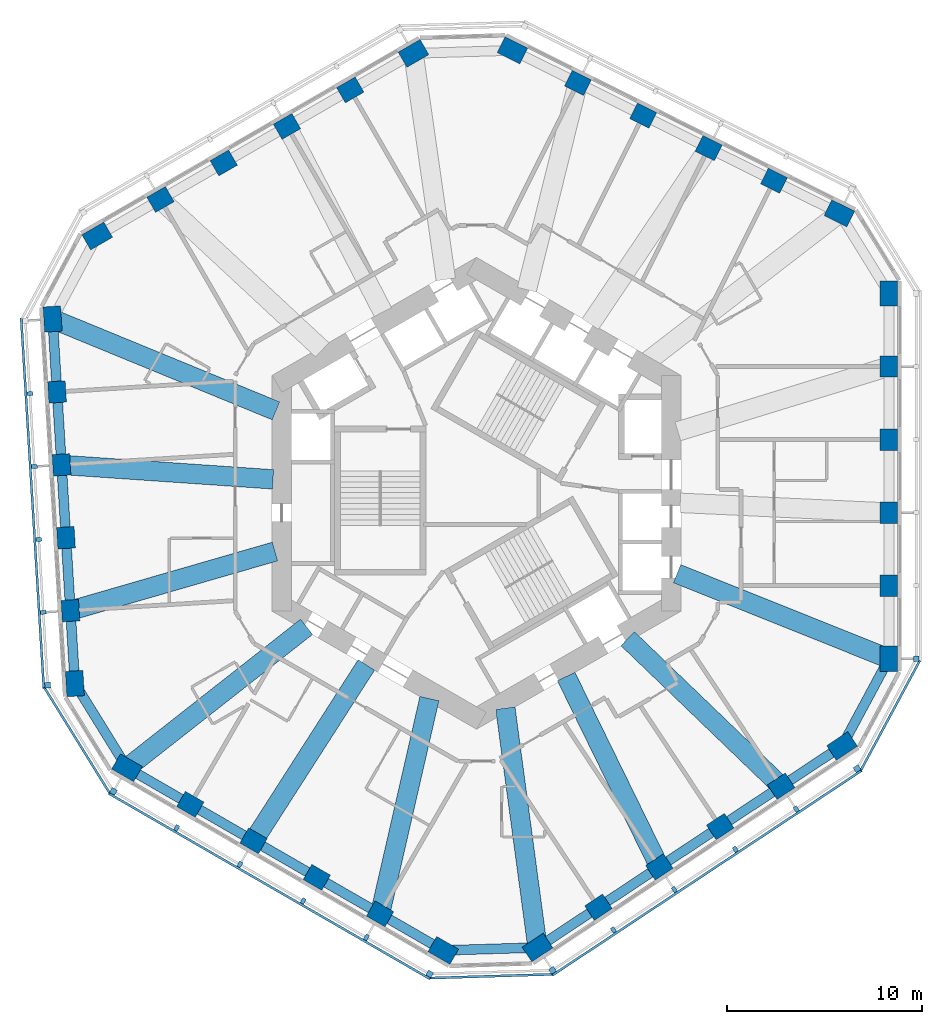
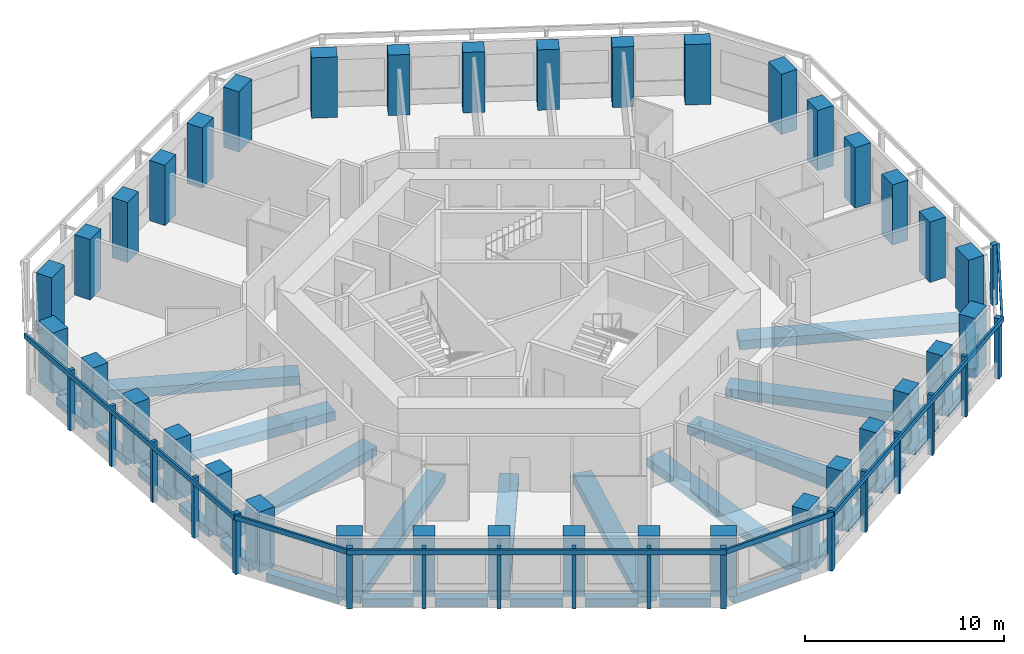
# One storey, part 1 of 11: 36 columns, 28 beams, 24 members, 7 elements without a shape of their own.
"""IFC4 building model written with IfcOpenShell, lengths in metres."""

from ifc_helpers import new_model, si_unit, direction, frame, origin, origin_2d, place, context, subcontext, project, spatial, rectangle, extrude, material, material_profile, profile_set, type_object, element, aggregate, save


model = new_model("IFC4")

# Units and contexts
model_context = context("Model", 3, precision=1e-05, world=origin(), true_north=direction((0.0, 1.0)))
body_context = subcontext(model_context, "Body", "Model", "MODEL_VIEW")
ifc_project = project(units=[si_unit("LENGTHUNIT", "METRE"), si_unit("AREAUNIT", "SQUARE_METRE"), si_unit("VOLUMEUNIT", "CUBIC_METRE"), si_unit("PLANEANGLEUNIT", "RADIAN"), si_unit("MASSUNIT", "GRAM", prefix="KILO")], contexts=[model_context])

# Site, building, storey
site_placement = place(None, origin())
site = spatial("IfcSite", under=ifc_project, at=site_placement, CompositionType="ELEMENT")
building_placement = place(site_placement, origin())
building = spatial("IfcBuilding", under=site, at=building_placement, Name="Vanh Sen Convention Tower", CompositionType="ELEMENT")
storey_placement = place(building_placement, frame((0.0, 0.0, 131.800048828125)))
storey = spatial("IfcBuildingStorey", under=building, at=storey_placement, Name="L32", CompositionType="ELEMENT", Elevation=131.800048828125)

# Columns
ifc_material_1 = material(Name="Concrete C80/95", Category="concrete")
ifc_material_profile_1 = material_profile(ifc_material_1, rectangle(XDim=1.10009765625, YDim=0.89990234375, at=origin_2d()), Name="RC 1100X900")
ifc_profile_set_1 = profile_set([ifc_material_profile_1], Name="Concrete C80/95")
column_type_1 = type_object("IfcColumnType", Name="Facade column 1100 x 900 C80/95", PredefinedType="COLUMN", material=ifc_profile_set_1)
for number, where, z_axis, x_axis, name in (
    (1, (21.199951171875, -4.746826171875, 0.0), (0.0, 0.0, 1.0), (0.0, 1.0, 0.0), "Facade column 02 L32"),
    (2, (21.199951171875, -0.992919921875, 0.0), (0.0, 0.0, 1.0), (0.0, 1.0, 0.0), "Facade column 03 L32"),
    (3, (21.199951171875, 2.76123046875, 0.0), (0.0, 0.0, 1.0), (0.0, 1.0, 0.0), "Facade column 04 L32"),
    (4, (21.199951171875, 6.515380859375, 0.0), (0.0, 0.0, 1.0), (0.0, 1.0, 0.0), "Facade column 05 L32"),
    (5, (15.290283203125, 16.0654296875, 0.0), (0.0, 0.0, 1.0), (-0.894934361602, 0.44619781311, 0.0), "Facade column 08 L32"),
    (6, (11.9306640625, 17.740478515625, 0.0), (0.0, 0.0, 1.0), (-0.894934361602, 0.44619781311, 0.0), "Facade column 09 L32"),
    (7, (8.57080078125, 19.41552734375, 0.0), (0.0, 0.0, 1.0), (-0.894934361602, 0.44619781311, 0.0), "Facade column 10 L32"),
    (8, (5.211181640625, 21.0908203125, 0.0), (0.0, 0.0, 1.0), (-0.894934361602, 0.44619781311, 0.0), "Facade column 11 L32"),
    (9, (-6.489013671875, 20.733154296875, 0.0), (0.0, 0.0, 1.0), (-0.866025403784, -0.5, 0.0), "Facade column 14 L32"),
    (10, (-9.740234375, 18.856201171875, 0.0), (0.0, 0.0, 1.0), (-0.866025403784, -0.5, 0.0), "Facade column 15 L32"),
    (11, (-12.991455078125, 16.97900390625, 0.0), (0.0, 0.0, 1.0), (-0.866025403784, -0.5, 0.0), "Facade column 16 L32"),
    (12, (-16.242431640625, 15.10205078125, 0.0), (0.0, 0.0, 1.0), (-0.866025403784, -0.5, 0.0), "Facade column 17 L32"),
    (13, (-21.55810546875, 5.208984375, 0.0), (0.0, 0.0, 1.0), (0.061048539535, -0.998134798422, 0.0), "Facade column 20 L32"),
    (14, (-21.3291015625, 1.4619140625, 0.0), (0.0, 0.0, 1.0), (0.061048539535, -0.998134798422, 0.0), "Facade column 21 L32"),
    (15, (-21.099853515625, -2.28515625, 0.0), (0.0, 0.0, 1.0), (0.061048539535, -0.998134798422, 0.0), "Facade column 22 L32"),
    (16, (-20.87060546875, -6.0322265625, 0.0), (0.0, 0.0, 1.0), (0.061048539535, -0.998134798422, 0.0), "Facade column 23 L32"),
    (17, (-14.7109375, -15.986328125, 0.0), (0.0, 0.0, 1.0), (0.866025403784, -0.5, 0.0), "Facade column 26 L32"),
    (18, (-11.459716796875, -17.86328125, 0.0), (0.0, 0.0, 1.0), (0.866025403784, -0.5, 0.0), "Facade column 27 L32"),
    (19, (-8.20849609375, -19.740478515625, 0.0), (0.0, 0.0, 1.0), (0.866025403784, -0.5, 0.0), "Facade column 28 L32"),
    (20, (-4.95751953125, -21.617431640625, 0.0), (0.0, 0.0, 1.0), (0.866025403784, -0.5, 0.0), "Facade column 29 L32"),
    (21, (6.267822265625, -21.2744140625, 0.0), (0.0, 0.0, 1.0), (0.833885822067, 0.551936985312, 0.0), "Facade column 32 L32"),
    (22, (9.3984375, -19.202392578125, 0.0), (0.0, 0.0, 1.0), (0.833885822067, 0.551936985312, 0.0), "Facade column 33 L32"),
    (23, (12.52880859375, -17.13037109375, 0.0), (0.0, 0.0, 1.0), (0.833885822067, 0.551936985312, 0.0), "Facade column 34 L32"),
    (24, (15.659423828125, -15.058349609375, 0.0), (0.0, 0.0, 1.0), (0.833885822067, 0.551936985312, 0.0), "Facade column 35 L32"),
):
    element("IfcColumn", number, at=place(storey_placement, frame(where, z_axis=z_axis, x_axis=x_axis)), inside=storey, type_object=column_type_1, Name=name, PredefinedType="COLUMN", context=body_context, shape_type="SweptSolid", body=[
        extrude(rectangle(XDim=1.10009765625, YDim=0.89990234375, at=origin_2d()), origin(), (0.0, 0.0, 1.0), 3.699951171875),
    ])
ifc_material_profile_2 = material_profile(ifc_material_1, rectangle(XDim=1.300048828125, YDim=0.89990234375, at=origin_2d()), Name="RC 1300X900")
ifc_profile_set_2 = profile_set([ifc_material_profile_2], Name="Concrete C80/95")
column_type_2 = type_object("IfcColumnType", Name="Facade corner column 1300 x 900 C80/95", PredefinedType="COLUMN", material=ifc_profile_set_2)
for number, where, z_axis, x_axis, name in (
    (25, (21.199951171875, -8.5009765625, 0.0), (0.0, 0.0, 1.0), (0.0, 1.0, 0.0), "Facade column 01 L32"),
    (26, (21.199951171875, 10.26953125, 0.0), (0.0, 0.0, 1.0), (0.0, 1.0, 0.0), "Facade column 06 L32"),
    (27, (18.64990234375, 14.390380859375, 0.0), (0.0, 0.0, 1.0), (-0.894934361602, 0.44619781311, 0.0), "Facade column 07 L32"),
    (28, (1.8515625, 22.765625, 0.0), (0.0, 0.0, 1.0), (-0.894934361602, 0.44619781311, 0.0), "Facade column 12 L32"),
    (29, (-3.23779296875, 22.610107421875, 0.0), (0.0, 0.0, 1.0), (-0.866025403784, -0.5, 0.0), "Facade column 13 L32"),
    (30, (-19.49365234375, 13.22509765625, 0.0), (0.0, 0.0, 1.0), (-0.866025403784, -0.5, 0.0), "Facade column 18 L32"),
    (31, (-21.787353515625, 8.956298828125, 0.0), (0.0, 0.0, 1.0), (0.061048539535, -0.998134798422, 0.0), "Facade column 19 L32"),
    (32, (-20.6416015625, -9.779296875, 0.0), (0.0, 0.0, 1.0), (0.061048539535, -0.998134798422, 0.0), "Facade column 24 L32"),
    (33, (-17.962158203125, -14.109130859375, 0.0), (0.0, 0.0, 1.0), (0.866025403784, -0.5, 0.0), "Facade column 25 L32"),
    (34, (-1.706298828125, -23.494384765625, 0.0), (0.0, 0.0, 1.0), (0.866025403784, -0.5, 0.0), "Facade column 30 L32"),
    (35, (3.137451171875, -23.346435546875, 0.0), (0.0, 0.0, 1.0), (0.833885822067, 0.551936985312, 0.0), "Facade column 31 L32"),
    (36, (18.789794921875, -12.986328125, 0.0), (0.0, 0.0, 1.0), (0.833885822067, 0.551936985312, 0.0), "Facade column 36 L32"),
):
    element("IfcColumn", number, at=place(storey_placement, frame(where, z_axis=z_axis, x_axis=x_axis)), inside=storey, type_object=column_type_2, Name=name, PredefinedType="COLUMN", context=body_context, shape_type="SweptSolid", body=[
        extrude(rectangle(XDim=1.300048828125, YDim=0.89990234375, at=origin_2d()), origin(), (0.0, 0.0, 1.0), 3.699951171875),
    ])

# Curtain wall, member
ifc_material_2 = material(Name="Concrete C50/60", Category="concrete")
curtain_wall_type = type_object("IfcCurtainWallType", Name="Outer skin office zone", PredefinedType="NOTDEFINED", material=ifc_material_2)
curtain_wall_1_placement = place(storey_placement, origin())
curtain_wall_1 = element("IfcCurtainWall", 37, at=curtain_wall_1_placement, inside=storey, type_object=curtain_wall_type, Name="OUTER SKIN E L32", PredefinedType="NOTDEFINED")
ifc_material_profile_3 = material_profile(ifc_material_2, rectangle(XDim=0.300048828125, YDim=0.300048828125, at=origin_2d()), Name="Outer skin precast corner fin 300 x 300")
ifc_profile_set_3 = profile_set([ifc_material_profile_3], Name="Concrete C50/60")
member_type_1 = type_object("IfcMemberType", Name="Outer skin precast corner fin 300 x 300", PredefinedType="MULLION", material=ifc_profile_set_3)
member_1_placement = place(storey_placement, frame((22.60009765625, -8.5009765625, 0.0), z_axis=(0.0, 0.0, 1.0), x_axis=(0.0, 1.0, 0.0)))
member_1 = element("IfcMember", 38, at=member_1_placement, type_object=member_type_1, Name="OUTER SKIN CORNER FIN 1 E L32", PredefinedType="MULLION", context=body_context, shape_type="SweptSolid", body=[
    extrude(rectangle(XDim=0.300048828125, YDim=0.300048828125, at=origin_2d()), origin(), (0.0, 0.0, 1.0), 3.699951171875),
])
aggregate(curtain_wall_1, [member_1])

curtain_wall_2_placement = place(storey_placement, origin())
curtain_wall_2 = element("IfcCurtainWall", 39, at=curtain_wall_2_placement, inside=storey, type_object=curtain_wall_type, Name="OUTER SKIN W L32", PredefinedType="NOTDEFINED")
member_2_placement = place(storey_placement, frame((-22.038818359375, -9.864990234375, 0.0), z_axis=(0.0, 0.0, 1.0), x_axis=(0.061048539535, -0.998134798422, 0.0)))
member_2 = element("IfcMember", 40, at=member_2_placement, type_object=member_type_1, Name="OUTER SKIN CORNER FIN 6 W L32", PredefinedType="MULLION", context=body_context, shape_type="SweptSolid", body=[
    extrude(rectangle(XDim=0.300048828125, YDim=0.300048828125, at=origin_2d()), origin(), (0.0, 0.0, 1.0), 3.699951171875),
])

# Curtain wall, members
curtain_wall_3_placement = place(storey_placement, origin())
curtain_wall_3 = element("IfcCurtainWall", 41, at=curtain_wall_3_placement, inside=storey, type_object=curtain_wall_type, Name="OUTER SKIN SW L32", PredefinedType="NOTDEFINED")
member_3_placement = place(storey_placement, frame((-18.662109375, -15.321533203125, 0.0), z_axis=(0.0, 0.0, 1.0), x_axis=(0.866025403784, -0.5, 0.0)))
member_3 = element("IfcMember", 42, at=member_3_placement, type_object=member_type_1, Name="OUTER SKIN CORNER FIN 1 SW L32", PredefinedType="MULLION", context=body_context, shape_type="SweptSolid", body=[
    extrude(rectangle(XDim=0.300048828125, YDim=0.300048828125, at=origin_2d()), origin(), (0.0, 0.0, 1.0), 3.699951171875),
])
member_4_placement = place(storey_placement, frame((-2.40625, -24.706787109375, 0.0), z_axis=(0.0, 0.0, 1.0), x_axis=(0.866025403784, -0.5, 0.0)))
member_4 = element("IfcMember", 43, at=member_4_placement, type_object=member_type_1, Name="OUTER SKIN CORNER FIN 6 SW L32", PredefinedType="MULLION", context=body_context, shape_type="SweptSolid", body=[
    extrude(rectangle(XDim=0.300048828125, YDim=0.300048828125, at=origin_2d()), origin(), (0.0, 0.0, 1.0), 3.699951171875),
])

curtain_wall_4_placement = place(storey_placement, origin())
curtain_wall_4 = element("IfcCurtainWall", 44, at=curtain_wall_4_placement, inside=storey, type_object=curtain_wall_type, Name="OUTER SKIN SE L32", PredefinedType="NOTDEFINED")
member_5_placement = place(storey_placement, frame((3.91015625, -24.513916015625, 0.0), z_axis=(0.0, 0.0, 1.0), x_axis=(0.833885822067, 0.551936985312, 0.0)))
member_5 = element("IfcMember", 45, at=member_5_placement, type_object=member_type_1, Name="OUTER SKIN CORNER FIN 1 SE L32", PredefinedType="MULLION", context=body_context, shape_type="SweptSolid", body=[
    extrude(rectangle(XDim=0.300048828125, YDim=0.300048828125, at=origin_2d()), origin(), (0.0, 0.0, 1.0), 3.699951171875),
])
member_6_placement = place(storey_placement, frame((19.5625, -14.15380859375, 0.0), z_axis=(0.0, 0.0, 1.0), x_axis=(0.833885822067, 0.551936985312, 0.0)))
member_6 = element("IfcMember", 46, at=member_6_placement, type_object=member_type_1, Name="OUTER SKIN CORNER FIN 6 SE L32", PredefinedType="MULLION", context=body_context, shape_type="SweptSolid", body=[
    extrude(rectangle(XDim=0.300048828125, YDim=0.300048828125, at=origin_2d()), origin(), (0.0, 0.0, 1.0), 3.699951171875),
])

# Member
ifc_material_profile_4 = material_profile(ifc_material_2, rectangle(XDim=0.199951171875, YDim=0.300048828125, at=origin_2d()), Name="Outer skin precast fin 200 x 300")
ifc_profile_set_4 = profile_set([ifc_material_profile_4], Name="Concrete C50/60")
member_type_2 = type_object("IfcMemberType", Name="Outer skin precast fin 200 x 300", PredefinedType="MULLION", material=ifc_profile_set_4)
member_7_placement = place(storey_placement, frame((-22.95556640625, 5.12353515625, 0.0), z_axis=(0.0, 0.0, 1.0), x_axis=(0.061048539535, -0.998134798422, 0.0)))
member_7 = element("IfcMember", 47, at=member_7_placement, type_object=member_type_2, Name="OUTER SKIN fin 2 W L32", PredefinedType="MULLION", context=body_context, shape_type="SweptSolid", body=[
    extrude(rectangle(XDim=0.199951171875, YDim=0.300048828125, at=origin_2d()), origin(), (0.0, 0.0, 1.0), 3.699951171875),
])

member_8_placement = place(storey_placement, frame((-22.726318359375, 1.37646484375, 0.0), z_axis=(0.0, 0.0, 1.0), x_axis=(0.061048539535, -0.998134798422, 0.0)))
member_8 = element("IfcMember", 48, at=member_8_placement, type_object=member_type_2, Name="OUTER SKIN fin 3 W L32", PredefinedType="MULLION", context=body_context, shape_type="SweptSolid", body=[
    extrude(rectangle(XDim=0.199951171875, YDim=0.300048828125, at=origin_2d()), origin(), (0.0, 0.0, 1.0), 3.699951171875),
])

member_9_placement = place(storey_placement, frame((-22.497314453125, -2.37060546875, 0.0), z_axis=(0.0, 0.0, 1.0), x_axis=(0.061048539535, -0.998134798422, 0.0)))
member_9 = element("IfcMember", 49, at=member_9_placement, type_object=member_type_2, Name="OUTER SKIN fin 4 W L32", PredefinedType="MULLION", context=body_context, shape_type="SweptSolid", body=[
    extrude(rectangle(XDim=0.199951171875, YDim=0.300048828125, at=origin_2d()), origin(), (0.0, 0.0, 1.0), 3.699951171875),
])

member_10_placement = place(storey_placement, frame((-22.26806640625, -6.117919921875, 0.0), z_axis=(0.0, 0.0, 1.0), x_axis=(0.061048539535, -0.998134798422, 0.0)))
member_10 = element("IfcMember", 50, at=member_10_placement, type_object=member_type_2, Name="OUTER SKIN fin 5 W L32", PredefinedType="MULLION", context=body_context, shape_type="SweptSolid", body=[
    extrude(rectangle(XDim=0.199951171875, YDim=0.300048828125, at=origin_2d()), origin(), (0.0, 0.0, 1.0), 3.699951171875),
])

member_11_placement = place(storey_placement, frame((-15.410888671875, -17.19873046875, 0.0), z_axis=(0.0, 0.0, 1.0), x_axis=(0.866025403784, -0.5, 0.0)))
member_11 = element("IfcMember", 51, at=member_11_placement, type_object=member_type_2, Name="OUTER SKIN fin 2 SW L32", PredefinedType="MULLION", context=body_context, shape_type="SweptSolid", body=[
    extrude(rectangle(XDim=0.199951171875, YDim=0.300048828125, at=origin_2d()), origin(), (0.0, 0.0, 1.0), 3.699951171875),
])

member_12_placement = place(storey_placement, frame((-12.159912109375, -19.07568359375, 0.0), z_axis=(0.0, 0.0, 1.0), x_axis=(0.866025403784, -0.5, 0.0)))
member_12 = element("IfcMember", 52, at=member_12_placement, type_object=member_type_2, Name="OUTER SKIN fin 3 SW L32", PredefinedType="MULLION", context=body_context, shape_type="SweptSolid", body=[
    extrude(rectangle(XDim=0.199951171875, YDim=0.300048828125, at=origin_2d()), origin(), (0.0, 0.0, 1.0), 3.699951171875),
])

member_13_placement = place(storey_placement, frame((-8.90869140625, -20.952880859375, 0.0), z_axis=(0.0, 0.0, 1.0), x_axis=(0.866025403784, -0.5, 0.0)))
member_13 = element("IfcMember", 53, at=member_13_placement, type_object=member_type_2, Name="OUTER SKIN fin 4 SW L32", PredefinedType="MULLION", context=body_context, shape_type="SweptSolid", body=[
    extrude(rectangle(XDim=0.199951171875, YDim=0.300048828125, at=origin_2d()), origin(), (0.0, 0.0, 1.0), 3.699951171875),
])

member_14_placement = place(storey_placement, frame((-5.657470703125, -22.829833984375, 0.0), z_axis=(0.0, 0.0, 1.0), x_axis=(0.866025403784, -0.5, 0.0)))
member_14 = element("IfcMember", 54, at=member_14_placement, type_object=member_type_2, Name="OUTER SKIN fin 5 SW L32", PredefinedType="MULLION", context=body_context, shape_type="SweptSolid", body=[
    extrude(rectangle(XDim=0.199951171875, YDim=0.300048828125, at=origin_2d()), origin(), (0.0, 0.0, 1.0), 3.699951171875),
])

member_15_placement = place(storey_placement, frame((7.04052734375, -22.44189453125, 0.0), z_axis=(0.0, 0.0, 1.0), x_axis=(0.833885822067, 0.551936985312, 0.0)))
member_15 = element("IfcMember", 55, at=member_15_placement, type_object=member_type_2, Name="OUTER SKIN fin 2 SE L32", PredefinedType="MULLION", context=body_context, shape_type="SweptSolid", body=[
    extrude(rectangle(XDim=0.199951171875, YDim=0.300048828125, at=origin_2d()), origin(), (0.0, 0.0, 1.0), 3.699951171875),
])

member_16_placement = place(storey_placement, frame((10.171142578125, -20.369873046875, 0.0), z_axis=(0.0, 0.0, 1.0), x_axis=(0.833885822067, 0.551936985312, 0.0)))
member_16 = element("IfcMember", 56, at=member_16_placement, type_object=member_type_2, Name="OUTER SKIN fin 3 SE L32", PredefinedType="MULLION", context=body_context, shape_type="SweptSolid", body=[
    extrude(rectangle(XDim=0.199951171875, YDim=0.300048828125, at=origin_2d()), origin(), (0.0, 0.0, 1.0), 3.699951171875),
])

member_17_placement = place(storey_placement, frame((13.301513671875, -18.2978515625, 0.0), z_axis=(0.0, 0.0, 1.0), x_axis=(0.833885822067, 0.551936985312, 0.0)))
member_17 = element("IfcMember", 57, at=member_17_placement, type_object=member_type_2, Name="OUTER SKIN fin 4 SE L32", PredefinedType="MULLION", context=body_context, shape_type="SweptSolid", body=[
    extrude(rectangle(XDim=0.199951171875, YDim=0.300048828125, at=origin_2d()), origin(), (0.0, 0.0, 1.0), 3.699951171875),
])

member_18_placement = place(storey_placement, frame((16.43212890625, -16.225830078125, 0.0), z_axis=(0.0, 0.0, 1.0), x_axis=(0.833885822067, 0.551936985312, 0.0)))
member_18 = element("IfcMember", 58, at=member_18_placement, type_object=member_type_2, Name="OUTER SKIN fin 5 SE L32", PredefinedType="MULLION", context=body_context, shape_type="SweptSolid", body=[
    extrude(rectangle(XDim=0.199951171875, YDim=0.300048828125, at=origin_2d()), origin(), (0.0, 0.0, 1.0), 3.699951171875),
])

ifc_material_profile_5 = material_profile(ifc_material_2, rectangle(XDim=0.1201171875, YDim=0.300048828125, at=origin_2d()), Name="Outer skin precast spandrel band 300 x 120")
ifc_profile_set_5 = profile_set([ifc_material_profile_5], Name="Concrete C50/60")
member_type_3 = type_object("IfcMemberType", Name="Outer skin precast spandrel band 300 x 120", PredefinedType="USERDEFINED", material=ifc_profile_set_5)
member_19_placement = place(storey_placement, frame((-23.403564453125, 9.007568359375, 3.550048828125), z_axis=(0.061052799403, -0.998134537868, 0.0), x_axis=(0.998134537868, 0.061052799403, 0.0)))
member_19 = element("IfcMember", 59, at=member_19_placement, type_object=member_type_3, Name="OUTER SKIN spandrel band W L32", ObjectType="TRANSOM", PredefinedType="USERDEFINED", context=body_context, shape_type="SweptSolid", body=[
    extrude(rectangle(XDim=0.1201171875, YDim=0.300048828125, at=origin_2d()), origin(), (0.0, 0.0, 1.0), 19.070556640625),
])

aggregate(curtain_wall_2, [member_7, member_8, member_9, member_10, member_2, member_19])

# Curtain wall, member
curtain_wall_5_placement = place(storey_placement, origin())
curtain_wall_5 = element("IfcCurtainWall", 60, at=curtain_wall_5_placement, inside=storey, type_object=curtain_wall_type, Name="OUTER SKIN CH4 L32", PredefinedType="NOTDEFINED")
member_20_placement = place(storey_placement, frame((-22.217529296875, -9.975341796875, 3.550048828125), z_axis=(0.526207913146, -0.85035594438, 0.0), x_axis=(0.85035594438, 0.526207913146, 0.0)))
member_20 = element("IfcMember", 61, at=member_20_placement, type_object=member_type_3, Name="OUTER SKIN spandrel band CH4 L32", ObjectType="TRANSOM", PredefinedType="USERDEFINED", context=body_context, shape_type="SweptSolid", body=[
    extrude(rectangle(XDim=0.1201171875, YDim=0.300048828125, at=origin_2d()), origin(), (0.0, 0.0, 1.0), 6.4169921875),
])
aggregate(curtain_wall_5, [member_20])

# Member
member_21_placement = place(storey_placement, frame((-18.89697265625, -15.428466796875, 3.550048828125), z_axis=(0.866023136587, -0.500003926881, 0.0), x_axis=(0.500003926881, 0.866023136587, 0.0)))
member_21 = element("IfcMember", 62, at=member_21_placement, type_object=member_type_3, Name="OUTER SKIN spandrel band SW L32", ObjectType="TRANSOM", PredefinedType="USERDEFINED", context=body_context, shape_type="SweptSolid", body=[
    extrude(rectangle(XDim=0.1201171875, YDim=0.300048828125, at=origin_2d()), origin(), (0.0, 0.0, 1.0), 19.070556640625),
])

aggregate(curtain_wall_3, [member_3, member_11, member_12, member_13, member_14, member_4, member_21])

# Curtain wall, member
curtain_wall_6_placement = place(storey_placement, origin())
curtain_wall_6 = element("IfcCurtainWall", 63, at=curtain_wall_6_placement, inside=storey, type_object=curtain_wall_type, Name="OUTER SKIN CH5 L32", PredefinedType="NOTDEFINED")
member_22_placement = place(storey_placement, frame((-2.39990234375, -24.916748046875, 3.550048828125), z_axis=(0.99953413443, 0.030520716071, 0.0), x_axis=(-0.030520716071, 0.99953413443, 0.0)))
member_22 = element("IfcMember", 64, at=member_22_placement, type_object=member_type_3, Name="OUTER SKIN spandrel band CH5 L32", ObjectType="TRANSOM", PredefinedType="USERDEFINED", context=body_context, shape_type="SweptSolid", body=[
    extrude(rectangle(XDim=0.1201171875, YDim=0.300048828125, at=origin_2d()), origin(), (0.0, 0.0, 1.0), 6.3193359375),
])
aggregate(curtain_wall_6, [member_22])

# Member
member_23_placement = place(storey_placement, frame((3.90087890625, -24.771728515625, 3.550048828125), z_axis=(0.833891134859, 0.551928958475, 0.0), x_axis=(-0.551928958475, 0.833891134859, 0.0)))
member_23 = element("IfcMember", 65, at=member_23_placement, type_object=member_type_3, Name="OUTER SKIN spandrel band SE L32", ObjectType="TRANSOM", PredefinedType="USERDEFINED", context=body_context, shape_type="SweptSolid", body=[
    extrude(rectangle(XDim=0.1201171875, YDim=0.300048828125, at=origin_2d()), origin(), (0.0, 0.0, 1.0), 19.070556640625),
])

aggregate(curtain_wall_4, [member_5, member_15, member_16, member_17, member_18, member_6, member_23])

# Curtain wall, member
curtain_wall_7_placement = place(storey_placement, origin())
curtain_wall_7 = element("IfcCurtainWall", 66, at=curtain_wall_7_placement, inside=storey, type_object=curtain_wall_type, Name="OUTER SKIN CH6 L32", PredefinedType="NOTDEFINED")
member_24_placement = place(storey_placement, frame((19.74755859375, -14.253173828125, 3.550048828125), z_axis=(0.473316922434, 0.880892213008, 0.0), x_axis=(-0.880892213008, 0.473316922434, 0.0)))
member_24 = element("IfcMember", 67, at=member_24_placement, type_object=member_type_3, Name="OUTER SKIN spandrel band CH6 L32", ObjectType="TRANSOM", PredefinedType="USERDEFINED", context=body_context, shape_type="SweptSolid", body=[
    extrude(rectangle(XDim=0.1201171875, YDim=0.300048828125, at=origin_2d()), origin(), (0.0, 0.0, 1.0), 6.417236328125),
])
aggregate(curtain_wall_7, [member_24])

# Beams
ifc_material_3 = material(Name="Concrete C50/60", Category="concrete")
ifc_material_profile_6 = material_profile(ifc_material_3, rectangle(XDim=1.0, YDim=0.550048828125, at=origin_2d()), Name="RC 1000X550")
ifc_profile_set_6 = profile_set([ifc_material_profile_6], Name="Concrete C50/60")
beam_type_1 = type_object("IfcBeamType", Name="Radial floor beam 1000 x 550", PredefinedType="BEAM", material=ifc_profile_set_6)
beam_1_placement = place(storey_placement, frame((20.940673828125, -8.39697265625, -0.554931640625), z_axis=(-0.928155894618, 0.372191664718, 0.0), x_axis=(-0.372191664718, -0.928155894618, 0.0)))
element("IfcBeam", 68, at=beam_1_placement, inside=storey, type_object=beam_type_1, Name="Radial beam 01 L32", PredefinedType="BEAM", context=body_context, shape_type="SweptSolid", body=[
    extrude(rectangle(XDim=1.0, YDim=0.550048828125, at=origin_2d()), origin(), (0.0, 0.0, 1.0), 11.454345703125),
])
beam_2_placement = place(storey_placement, frame((-21.5537109375, 8.860107421875, -0.554931640625), z_axis=(0.924898704651, -0.380213605932, 0.0), x_axis=(0.380213605932, 0.924898704651, 0.0)))
element("IfcBeam", 69, at=beam_2_placement, inside=storey, type_object=beam_type_1, Name="Radial beam 10 L32", PredefinedType="BEAM", context=body_context, shape_type="SweptSolid", body=[
    extrude(rectangle(XDim=1.0, YDim=0.550048828125, at=origin_2d()), origin(), (0.0, 0.0, 1.0), 12.16162109375),
])
beam_3_placement = place(storey_placement, frame((-20.9462890625, 1.435791015625, -0.554931640625), z_axis=(0.997658941032, -0.068385944315, 0.0), x_axis=(0.068385944315, 0.997658941032, 0.0)))
element("IfcBeam", 70, at=beam_3_placement, inside=storey, type_object=beam_type_1, Name="Radial beam 11 L32", PredefinedType="BEAM", context=body_context, shape_type="SweptSolid", body=[
    extrude(rectangle(XDim=1.0, YDim=0.550048828125, at=origin_2d()), origin(), (0.0, 0.0, 1.0), 10.51025390625),
])
beam_4_placement = place(storey_placement, frame((-20.602783203125, -5.954833984375, -0.554931640625), z_axis=(0.960679861027, 0.277658431563, 0.0), x_axis=(-0.277658431563, 0.960679861027, 0.0)))
element("IfcBeam", 71, at=beam_4_placement, inside=storey, type_object=beam_type_1, Name="Radial beam 12 L32", PredefinedType="BEAM", context=body_context, shape_type="SweptSolid", body=[
    extrude(rectangle(XDim=1.0, YDim=0.550048828125, at=origin_2d()), origin(), (0.0, 0.0, 1.0), 10.665771484375),
])
beam_5_placement = place(storey_placement, frame((-17.742431640625, -13.936767578125, -0.554931640625), z_axis=(0.786390075882, 0.617730239307, 0.0), x_axis=(-0.617730239307, 0.786390075882, 0.0)))
element("IfcBeam", 72, at=beam_5_placement, inside=storey, type_object=beam_type_1, Name="Radial beam 13 L32", PredefinedType="BEAM", context=body_context, shape_type="SweptSolid", body=[
    extrude(rectangle(XDim=1.0, YDim=0.550048828125, at=origin_2d()), origin(), (0.0, 0.0, 1.0), 11.454345703125),
])
beam_6_placement = place(storey_placement, frame((-11.23193359375, -17.508056640625, -0.554931640625), z_axis=(0.539975252329, 0.841680893731, 0.0), x_axis=(-0.841680893731, 0.539975252329, 0.0)))
element("IfcBeam", 73, at=beam_6_placement, inside=storey, type_object=beam_type_1, Name="Radial beam 14 L32", PredefinedType="BEAM", context=body_context, shape_type="SweptSolid", body=[
    extrude(rectangle(XDim=1.0, YDim=0.550048828125, at=origin_2d()), origin(), (0.0, 0.0, 1.0), 10.318115234375),
])
beam_7_placement = place(storey_placement, frame((-4.90380859375, -21.38330078125, -0.554931640625), z_axis=(0.22352270498, 0.974698722867, 0.0), x_axis=(-0.974698722867, 0.22352270498, 0.0)))
element("IfcBeam", 74, at=beam_7_placement, inside=storey, type_object=beam_type_1, Name="Radial beam 15 L32", PredefinedType="BEAM", context=body_context, shape_type="SweptSolid", body=[
    extrude(rectangle(XDim=1.0, YDim=0.550048828125, at=origin_2d()), origin(), (0.0, 0.0, 1.0), 11.112548828125),
])
beam_8_placement = place(storey_placement, frame((3.103759765625, -23.095947265625, -0.554931640625), z_axis=(-0.133195875593, 0.991089732933, 0.0), x_axis=(-0.991089732933, -0.133195875593, 0.0)))
element("IfcBeam", 75, at=beam_8_placement, inside=storey, type_object=beam_type_1, Name="Radial beam 16 L32", PredefinedType="BEAM", context=body_context, shape_type="SweptSolid", body=[
    extrude(rectangle(XDim=1.0, YDim=0.550048828125, at=origin_2d()), origin(), (0.0, 0.0, 1.0), 12.16162109375),
])
beam_9_placement = place(storey_placement, frame((9.229736328125, -18.85791015625, -0.554931640625), z_axis=(-0.439596726485, 0.898195256091, 0.0), x_axis=(-0.898195256091, -0.439596726485, 0.0)))
element("IfcBeam", 76, at=beam_9_placement, inside=storey, type_object=beam_type_1, Name="Radial beam 17 L32", PredefinedType="BEAM", context=body_context, shape_type="SweptSolid", body=[
    extrude(rectangle(XDim=1.0, YDim=0.550048828125, at=origin_2d()), origin(), (0.0, 0.0, 1.0), 10.510009765625),
])
beam_10_placement = place(storey_placement, frame((15.458251953125, -14.864990234375, -0.554931640625), z_axis=(-0.720797435076, 0.693145769365, 0.0), x_axis=(-0.693145769365, -0.720797435076, 0.0)))
element("IfcBeam", 77, at=beam_10_placement, inside=storey, type_object=beam_type_1, Name="Radial beam 18 L32", PredefinedType="BEAM", context=body_context, shape_type="SweptSolid", body=[
    extrude(rectangle(XDim=1.0, YDim=0.550048828125, at=origin_2d()), origin(), (0.0, 0.0, 1.0), 10.66552734375),
])
ifc_material_profile_7 = material_profile(ifc_material_3, rectangle(XDim=0.5, YDim=0.5, at=origin_2d()), Name="RC 500X500")
ifc_profile_set_7 = profile_set([ifc_material_profile_7], Name="Concrete C50/60")
beam_type_2 = type_object("IfcBeamType", Name="Spandrel beam 500 x 500", PredefinedType="SPANDREL", material=ifc_profile_set_7)
beam_11_placement = place(storey_placement, frame((-21.748046875, 8.3125, -0.530029296875), z_axis=(0.061026827248, -0.998136126165, 0.0), x_axis=(0.998136126165, 0.061026827248, 0.0)))
element("IfcBeam", 78, at=beam_11_placement, inside=storey, type_object=beam_type_2, Name="Spandrel beam 19 L32", PredefinedType="SPANDREL", context=body_context, shape_type="SweptSolid", body=[
    extrude(rectangle(XDim=0.5, YDim=0.5, at=origin_2d()), origin(), (0.0, 0.0, 1.0), 2.564453125),
])
beam_12_placement = place(storey_placement, frame((-21.52490234375, 4.665283203125, -0.530029296875), z_axis=(0.061026226429, -0.9981361629, 0.0), x_axis=(0.9981361629, 0.061026226429, 0.0)))
element("IfcBeam", 79, at=beam_12_placement, inside=storey, type_object=beam_type_2, Name="Spandrel beam 20 L32", PredefinedType="SPANDREL", context=body_context, shape_type="SweptSolid", body=[
    extrude(rectangle(XDim=0.5, YDim=0.5, at=origin_2d()), origin(), (0.0, 0.0, 1.0), 2.664306640625),
])
for number, where, z_axis, x_axis, name in (
    (80, (-21.295654296875, 0.91796875, -0.530029296875), (0.061031808409, -0.998135821601, 0.0), (0.998135821601, 0.061031808409, 0.0), "Spandrel beam 21 L32"),
    (81, (-21.06640625, -2.8291015625, -0.530029296875), (0.060940509637, -0.998141399946, 0.0), (0.998141399946, 0.060940509637, 0.0), "Spandrel beam 22 L32"),
):
    element("IfcBeam", number, at=place(storey_placement, frame(where, z_axis=z_axis, x_axis=x_axis)), inside=storey, type_object=beam_type_2, Name=name, PredefinedType="SPANDREL", context=body_context, shape_type="SweptSolid", body=[
        extrude(rectangle(XDim=0.5, YDim=0.5, at=origin_2d()), origin(), (0.0, 0.0, 1.0), 2.6640625),
    ])
beam_13_placement = place(storey_placement, frame((-20.83740234375, -6.576171875, -0.530029296875), z_axis=(0.061032627068, -0.998135771543, 0.0), x_axis=(0.998135771543, 0.061032627068, 0.0)))
element("IfcBeam", 82, at=beam_13_placement, inside=storey, type_object=beam_type_2, Name="Spandrel beam 23 L32", PredefinedType="SPANDREL", context=body_context, shape_type="SweptSolid", body=[
    extrude(rectangle(XDim=0.5, YDim=0.5, at=origin_2d()), origin(), (0.0, 0.0, 1.0), 2.564208984375),
])
beam_14_placement = place(storey_placement, frame((-20.388671875, -10.18798828125, -0.530029296875), z_axis=(0.526232532359, -0.850340709297, 0.0), x_axis=(0.850340709297, 0.526232532359, 0.0)))
element("IfcBeam", 83, at=beam_14_placement, inside=storey, type_object=beam_type_2, Name="Spandrel beam 24 L32", PredefinedType="SPANDREL", context=body_context, shape_type="SweptSolid", body=[
    extrude(rectangle(XDim=0.5, YDim=0.5, at=origin_2d()), origin(), (0.0, 0.0, 1.0), 4.130859375),
])
beam_15_placement = place(storey_placement, frame((-17.403564453125, -14.431640625, -0.530029296875), z_axis=(0.866008007854, -0.500030129425, 0.0), x_axis=(0.500030129425, 0.866008007854, 0.0)))
element("IfcBeam", 84, at=beam_15_placement, inside=storey, type_object=beam_type_2, Name="Spandrel beam 25 L32", PredefinedType="SPANDREL", context=body_context, shape_type="SweptSolid", body=[
    extrude(rectangle(XDim=0.5, YDim=0.5, at=origin_2d()), origin(), (0.0, 0.0, 1.0), 2.564208984375),
])
for number, where, z_axis, x_axis, name in (
    (85, (-14.239013671875, -16.2587890625, -0.530029296875), (0.866023818221, -0.500002746266, 0.0), (0.500002746266, 0.866023818221, 0.0), "Spandrel beam 26 L32"),
    (86, (-10.98779296875, -18.1357421875, -0.530029296875), (0.8659841347, -0.500071473339, 0.0), (0.500071473339, 0.8659841347, 0.0), "Spandrel beam 27 L32"),
    (87, (-7.736572265625, -20.012939453125, -0.530029296875), (0.866023818221, -0.500002746266, 0.0), (0.500002746266, 0.866023818221, 0.0), "Spandrel beam 28 L32"),
):
    element("IfcBeam", number, at=place(storey_placement, frame(where, z_axis=z_axis, x_axis=x_axis)), inside=storey, type_object=beam_type_2, Name=name, PredefinedType="SPANDREL", context=body_context, shape_type="SweptSolid", body=[
        extrude(rectangle(XDim=0.5, YDim=0.5, at=origin_2d()), origin(), (0.0, 0.0, 1.0), 2.6640625),
    ])
beam_16_placement = place(storey_placement, frame((-4.485595703125, -21.889892578125, -0.530029296875), z_axis=(0.866008007854, -0.500030129425, 0.0), x_axis=(0.500030129425, 0.866008007854, 0.0)))
element("IfcBeam", 88, at=beam_16_placement, inside=storey, type_object=beam_type_2, Name="Spandrel beam 29 L32", PredefinedType="SPANDREL", context=body_context, shape_type="SweptSolid", body=[
    extrude(rectangle(XDim=0.5, YDim=0.5, at=origin_2d()), origin(), (0.0, 0.0, 1.0), 2.564208984375),
])
beam_17_placement = place(storey_placement, frame((-1.260498046875, -23.48095703125, -0.530029296875), z_axis=(0.999532756569, 0.03056580679, 0.0), x_axis=(-0.03056580679, 0.999532756569, 0.0)))
element("IfcBeam", 89, at=beam_17_placement, inside=storey, type_object=beam_type_2, Name="Spandrel beam 30 L32", PredefinedType="SPANDREL", context=body_context, shape_type="SweptSolid", body=[
    extrude(rectangle(XDim=0.5, YDim=0.5, at=origin_2d()), origin(), (0.0, 0.0, 1.0), 3.953857421875),
])
beam_18_placement = place(storey_placement, frame((3.67529296875, -22.990478515625, -0.530029296875), z_axis=(0.833876783429, 0.551950640961, 0.0), x_axis=(-0.551950640961, 0.833876783429, 0.0)))
element("IfcBeam", 90, at=beam_18_placement, inside=storey, type_object=beam_type_2, Name="Spandrel beam 31 L32", PredefinedType="SPANDREL", context=body_context, shape_type="SweptSolid", body=[
    extrude(rectangle(XDim=0.5, YDim=0.5, at=origin_2d()), origin(), (0.0, 0.0, 1.0), 2.564208984375),
])
beam_19_placement = place(storey_placement, frame((6.722412109375, -20.9736328125, -0.530029296875), z_axis=(0.833906773816, 0.551905329368, 0.0), x_axis=(-0.551905329368, 0.833906773816, 0.0)))
element("IfcBeam", 91, at=beam_19_placement, inside=storey, type_object=beam_type_2, Name="Spandrel beam 32 L32", PredefinedType="SPANDREL", context=body_context, shape_type="SweptSolid", body=[
    extrude(rectangle(XDim=0.5, YDim=0.5, at=origin_2d()), origin(), (0.0, 0.0, 1.0), 2.663818359375),
])
beam_20_placement = place(storey_placement, frame((9.852783203125, -18.901611328125, -0.530029296875), z_axis=(0.8338925114, 0.551926878699, 0.0), x_axis=(-0.551926878699, 0.8338925114, 0.0)))
element("IfcBeam", 92, at=beam_20_placement, inside=storey, type_object=beam_type_2, Name="Spandrel beam 33 L32", PredefinedType="SPANDREL", context=body_context, shape_type="SweptSolid", body=[
    extrude(rectangle(XDim=0.5, YDim=0.5, at=origin_2d()), origin(), (0.0, 0.0, 1.0), 2.664306640625),
])
beam_21_placement = place(storey_placement, frame((12.9833984375, -16.82958984375, -0.530029296875), z_axis=(0.833864593577, 0.551969056722, 0.0), x_axis=(-0.551969056722, 0.833864593577, 0.0)))
element("IfcBeam", 93, at=beam_21_placement, inside=storey, type_object=beam_type_2, Name="Spandrel beam 34 L32", PredefinedType="SPANDREL", context=body_context, shape_type="SweptSolid", body=[
    extrude(rectangle(XDim=0.5, YDim=0.5, at=origin_2d()), origin(), (0.0, 0.0, 1.0), 2.6640625),
])
beam_22_placement = place(storey_placement, frame((16.114013671875, -14.757568359375, -0.530029296875), z_axis=(0.833847773334, 0.551994466372, 0.0), x_axis=(-0.551994466372, 0.833847773334, 0.0)))
element("IfcBeam", 94, at=beam_22_placement, inside=storey, type_object=beam_type_2, Name="Spandrel beam 35 L32", PredefinedType="SPANDREL", context=body_context, shape_type="SweptSolid", body=[
    extrude(rectangle(XDim=0.5, YDim=0.5, at=origin_2d()), origin(), (0.0, 0.0, 1.0), 2.56396484375),
])
beam_23_placement = place(storey_placement, frame((19.017333984375, -12.563232421875, -0.530029296875), z_axis=(0.473331343441, 0.880884464227, 0.0), x_axis=(-0.880884464227, 0.473331343441, 0.0)))
element("IfcBeam", 95, at=beam_23_placement, inside=storey, type_object=beam_type_2, Name="Spandrel beam 36 L32", PredefinedType="SPANDREL", context=body_context, shape_type="SweptSolid", body=[
    extrude(rectangle(XDim=0.5, YDim=0.5, at=origin_2d()), origin(), (0.0, 0.0, 1.0), 4.130859375),
])

save(model, "model.ifc")
